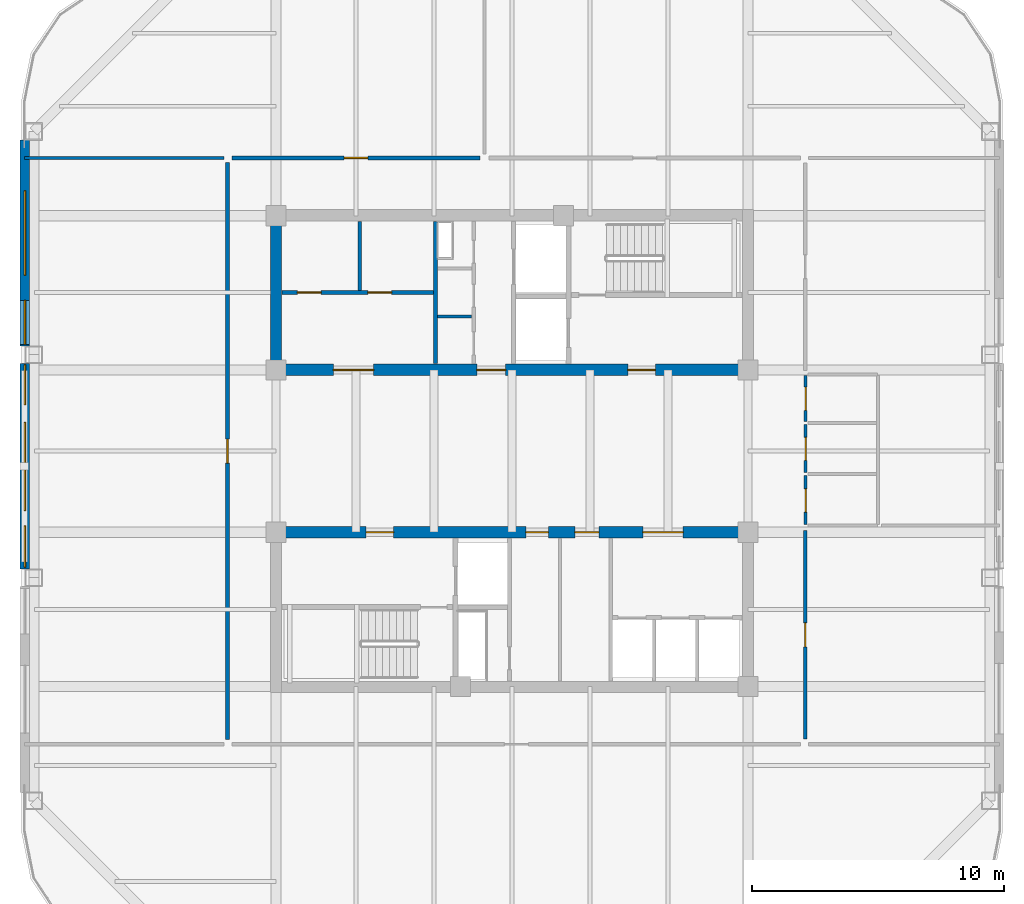
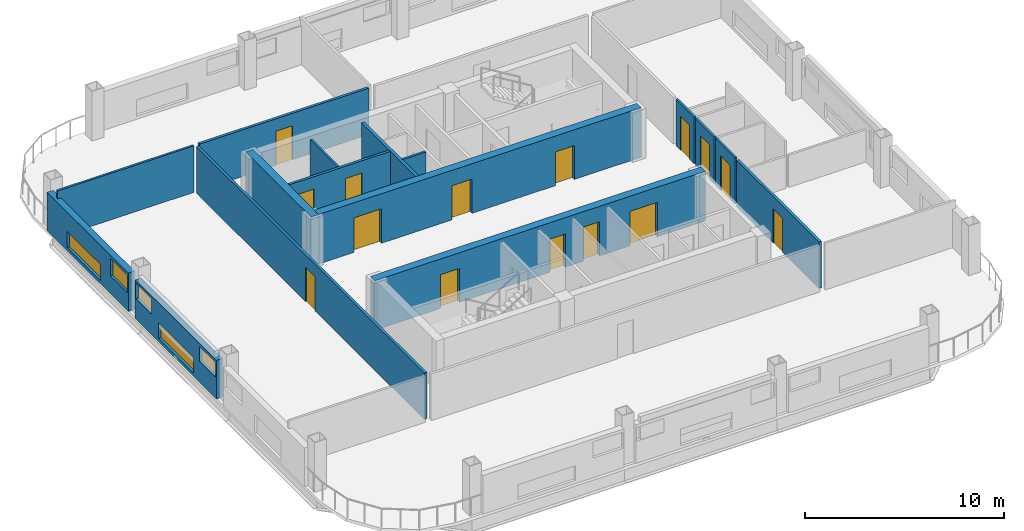
# One storey, part 3 of 8: 16 walls, 15 doors, 5 windows, 20 openings.
"""IFC4 building model written with IfcOpenShell, lengths in metres."""

from ifc_helpers import new_model, si_unit, direction, frame, frame_2d, origin, place, context, subcontext, project, spatial, rectangle, extrude, material, layer, layer_set, type_object, element, fill, save


model = new_model("IFC4")

# Units and contexts
model_context = context("Model", 3, precision=1e-05, world=origin(), true_north=direction((0.0, 1.0)))
body_context = subcontext(model_context, "Body", "Model", "MODEL_VIEW")
ifc_project = project(units=[si_unit("LENGTHUNIT", "METRE"), si_unit("AREAUNIT", "SQUARE_METRE"), si_unit("VOLUMEUNIT", "CUBIC_METRE"), si_unit("PLANEANGLEUNIT", "RADIAN"), si_unit("MASSUNIT", "GRAM", prefix="KILO")], contexts=[model_context])

# Site, building, storey
site_placement = place(None, origin())
site = spatial("IfcSite", under=ifc_project, at=site_placement, CompositionType="ELEMENT")
building_placement = place(site_placement, origin())
building = spatial("IfcBuilding", under=site, at=building_placement, Name="Qhalaya Broadcast Tower", CompositionType="ELEMENT")
storey_placement = place(building_placement, frame((0.0, 0.0, 202.550048828125)))
storey = spatial("IfcBuildingStorey", under=building, at=storey_placement, Name="L59", CompositionType="ELEMENT", Elevation=202.550048828125)

# Wall, openings, doors
ifc_material_1 = material(Name="Gypsum Acoustic Partition")
ifc_layer_1 = layer(ifc_material_1, 0.14990234375, Name="Gypsum Acoustic Partition")
ifc_layer_set_1 = layer_set([ifc_layer_1], Name="Gypsum Acoustic Partition")
wall_type_1 = type_object("IfcWallType", Name="Corridor & Tenancy Acoustic Partition 150", PredefinedType="PARTITIONING", material=ifc_layer_set_1)
wall_1_placement = place(storey_placement, frame((-9.1298828125, 6.89990234375, 0.0), z_axis=(0.0, 0.0, 1.0), x_axis=(1.0, 0.0, 0.0)))
wall_1 = element("IfcWall", 1, at=wall_1_placement, inside=storey, type_object=wall_type_1, Name="L59 Partition Wall NCW-REC1", PredefinedType="PARTITIONING", context=body_context, shape_type="SweptSolid", body=[
    extrude(rectangle(XDim=6.009765625, YDim=0.14990234375, at=frame_2d((3.0048828125, 0.0))), origin(), (0.0, 0.0, 1.0), 2.85986328125),
])
opening_1_placement = place(wall_1_placement, frame((0.60009765625, 0.0, 0.0)))
opening_1 = element("IfcOpeningElement", 2, at=opening_1_placement, cuts=wall_1, Name="Opening D10", PredefinedType="OPENING", context=body_context, shape_type="SweptSolid", body=[
    extrude(rectangle(XDim=0.949951171875, YDim=2.10009765625, at=frame_2d((0.47509765625, 1.050048828125))), frame((0.0, 0.0869140625, 0.0), z_axis=(0.0, -1.0, 0.0), x_axis=(1.0, 0.0, 0.0)), (0.0, 0.0, 1.0), 0.173828125),
])
opening_2_placement = place(wall_1_placement, frame((3.39990234375, 0.0, 0.0)))
opening_2 = element("IfcOpeningElement", 3, at=opening_2_placement, cuts=wall_1, Name="Opening D10", PredefinedType="OPENING", context=body_context, shape_type="SweptSolid", body=[
    extrude(rectangle(XDim=0.949951171875, YDim=2.10009765625, at=frame_2d((0.47509765625, 1.050048828125))), frame((0.0, 0.0869140625, 0.0), z_axis=(0.0, -1.0, 0.0), x_axis=(1.0, 0.0, 0.0)), (0.0, 0.0, 1.0), 0.173828125),
])
ifc_material_2 = material(Name="Timber Veneer Acoustic Door", Category="wood")
door_type_1 = type_object("IfcDoorType", Name="Cellular Office & Edit Booth Door D10", OperationType="NOTDEFINED", PredefinedType="DOOR", material=ifc_material_2)
door_1_placement = place(opening_1_placement, origin())
door_1 = element("IfcDoor", 4, at=door_1_placement, inside=storey, type_object=door_type_1, Name="L59 Door D-NREC1", OperationType="SINGLE_SWING_LEFT", OverallHeight=2.10009765625, OverallWidth=0.949951171875, PredefinedType="DOOR", context=body_context, shape_type="SweptSolid", body=[
    extrude(rectangle(XDim=0.949951171875, YDim=2.10009765625, at=frame_2d((0.47509765625, 1.050048828125))), frame((0.0, 0.02490234375, 0.0), z_axis=(0.0, -1.0, 0.0), x_axis=(1.0, 0.0, 0.0)), (0.0, 0.0, 1.0), 0.050048828125),
])
fill(opening_1, door_1)
door_2_placement = place(opening_2_placement, origin())
door_2 = element("IfcDoor", 5, at=door_2_placement, inside=storey, type_object=door_type_1, Name="L59 Door D-NREC2", OperationType="SINGLE_SWING_RIGHT", OverallHeight=2.10009765625, OverallWidth=0.949951171875, PredefinedType="DOOR", context=body_context, shape_type="SweptSolid", body=[
    extrude(rectangle(XDim=0.949951171875, YDim=2.10009765625, at=frame_2d((0.47509765625, 1.050048828125))), frame((0.0, 0.02490234375, 0.0), z_axis=(0.0, -1.0, 0.0), x_axis=(1.0, 0.0, 0.0)), (0.0, 0.0, 1.0), 0.050048828125),
])
fill(opening_2, door_2)

# Wall, opening, door
wall_2_placement = place(storey_placement, frame((-11.1201171875, 12.25, 0.0), z_axis=(0.0, 0.0, 1.0), x_axis=(1.0, 0.0, 0.0)))
wall_2 = element("IfcWall", 6, at=wall_2_placement, inside=storey, type_object=wall_type_1, Name="L59 Partition Wall W-COR-01", PredefinedType="PARTITIONING", context=body_context, shape_type="SweptSolid", body=[
    extrude(rectangle(XDim=9.840087890625, YDim=0.14990234375, at=frame_2d((4.919921875, 0.0))), origin(), (0.0, 0.0, 1.0), 2.85986328125),
])
opening_3_placement = place(wall_2_placement, frame((4.445068359375, 0.0, 0.0)))
opening_3 = element("IfcOpeningElement", 7, at=opening_3_placement, cuts=wall_2, Name="Opening D10", PredefinedType="OPENING", context=body_context, shape_type="SweptSolid", body=[
    extrude(rectangle(XDim=0.949951171875, YDim=2.10009765625, at=frame_2d((0.47509765625, 1.050048828125))), frame((0.0, 0.0869140625, 0.0), z_axis=(0.0, -1.0, 0.0), x_axis=(1.0, 0.0, 0.0)), (0.0, 0.0, 1.0), 0.173828125),
])
door_3_placement = place(opening_3_placement, origin())
door_3 = element("IfcDoor", 8, at=door_3_placement, inside=storey, type_object=door_type_1, Name="L59 Door D-RM01", OperationType="SINGLE_SWING_LEFT", OverallHeight=2.10009765625, OverallWidth=0.949951171875, PredefinedType="DOOR", context=body_context, shape_type="SweptSolid", body=[
    extrude(rectangle(XDim=0.949951171875, YDim=2.10009765625, at=frame_2d((0.47509765625, 1.050048828125))), frame((0.0, 0.02490234375, 0.0), z_axis=(0.0, -1.0, 0.0), x_axis=(1.0, 0.0, 0.0)), (0.0, 0.0, 1.0), 0.050048828125),
])
fill(opening_3, door_3)

wall_3_placement = place(storey_placement, frame((-11.300048828125, -10.8701171875, 0.0), z_axis=(0.0, 0.0, 1.0), x_axis=(0.0, 1.0, 0.0)))
wall_3 = element("IfcWall", 9, at=wall_3_placement, inside=storey, type_object=wall_type_1, Name="L59 Partition Wall W-COR-04", PredefinedType="PARTITIONING", context=body_context, shape_type="SweptSolid", body=[
    extrude(rectangle(XDim=22.940185546875, YDim=0.14990234375, at=frame_2d((11.47021484375, 0.0))), origin(), (0.0, 0.0, 1.0), 2.85986328125),
])
opening_4_placement = place(wall_3_placement, frame((10.9951171875, 0.0, 0.0)))
opening_4 = element("IfcOpeningElement", 10, at=opening_4_placement, cuts=wall_3, Name="Opening D10", PredefinedType="OPENING", context=body_context, shape_type="SweptSolid", body=[
    extrude(rectangle(XDim=0.949951171875, YDim=2.10009765625, at=frame_2d((0.47509765625, 1.050048828125))), frame((0.0, 0.0869140625, 0.0), z_axis=(0.0, -1.0, 0.0), x_axis=(1.0, 0.0, 0.0)), (0.0, 0.0, 1.0), 0.173828125),
])
door_4_placement = place(opening_4_placement, origin())
door_4 = element("IfcDoor", 11, at=door_4_placement, inside=storey, type_object=door_type_1, Name="L59 Door D-RM04", OperationType="SINGLE_SWING_RIGHT", OverallHeight=2.10009765625, OverallWidth=0.949951171875, PredefinedType="DOOR", context=body_context, shape_type="SweptSolid", body=[
    extrude(rectangle(XDim=0.949951171875, YDim=2.10009765625, at=frame_2d((0.47509765625, 1.050048828125))), frame((0.0, 0.02490234375, 0.0), z_axis=(0.0, -1.0, 0.0), x_axis=(1.0, 0.0, 0.0)), (0.0, 0.0, 1.0), 0.050048828125),
])
fill(opening_4, door_4)

wall_4_placement = place(storey_placement, frame((11.64990234375, -10.85009765625, 0.0), z_axis=(0.0, 0.0, 1.0), x_axis=(0.0, 1.0, 0.0)))
wall_4 = element("IfcWall", 12, at=wall_4_placement, inside=storey, type_object=wall_type_1, Name="L59 Partition Wall W-COR-05", PredefinedType="PARTITIONING", context=body_context, shape_type="SweptSolid", body=[
    extrude(rectangle(XDim=8.2900390625, YDim=0.14990234375, at=frame_2d((4.14501953125, 0.0))), origin(), (0.0, 0.0, 1.0), 2.85986328125),
])
opening_5_placement = place(wall_4_placement, frame((3.669921875, 0.0, 0.0)))
opening_5 = element("IfcOpeningElement", 13, at=opening_5_placement, cuts=wall_4, Name="Opening D10", PredefinedType="OPENING", context=body_context, shape_type="SweptSolid", body=[
    extrude(rectangle(XDim=0.949951171875, YDim=2.10009765625, at=frame_2d((0.47509765625, 1.050048828125))), frame((0.0, 0.0869140625, 0.0), z_axis=(0.0, -1.0, 0.0), x_axis=(1.0, 0.0, 0.0)), (0.0, 0.0, 1.0), 0.173828125),
])
door_5_placement = place(opening_5_placement, origin())
door_5 = element("IfcDoor", 14, at=door_5_placement, inside=storey, type_object=door_type_1, Name="L59 Door D-RM05", OperationType="SINGLE_SWING_LEFT", OverallHeight=2.10009765625, OverallWidth=0.949951171875, PredefinedType="DOOR", context=body_context, shape_type="SweptSolid", body=[
    extrude(rectangle(XDim=0.949951171875, YDim=2.10009765625, at=frame_2d((0.47509765625, 1.050048828125))), frame((0.0, 0.02490234375, 0.0), z_axis=(0.0, -1.0, 0.0), x_axis=(1.0, 0.0, 0.0)), (0.0, 0.0, 1.0), 0.050048828125),
])
fill(opening_5, door_5)

# Wall, openings, windows
ifc_material_3 = material(Name="Precast Concrete C40/50", Category="concrete")
ifc_layer_2 = layer(ifc_material_3, 0.360107421875, Name="Precast Concrete C40/50")
ifc_layer_set_2 = layer_set([ifc_layer_2], Name="Precast Concrete C40/50")
wall_type_2 = type_object("IfcWallType", Name="Insulated Precast Terracotta Exterior Wall 360", PredefinedType="SOLIDWALL", material=ifc_layer_set_2)
wall_5_placement = place(storey_placement, frame((-19.360107421875, -4.083251953125, 0.0), z_axis=(0.0, 0.0, 1.0), x_axis=(0.0, 1.0, 0.0)))
wall_5 = element("IfcWall", 15, at=wall_5_placement, inside=storey, type_object=wall_type_2, Name="L59 Exoskeleton Diagrid Infill Wall W2", PredefinedType="SOLIDWALL", context=body_context, shape_type="SweptSolid", body=[
    extrude(rectangle(XDim=8.16650390625, YDim=0.360107421875, at=frame_2d((4.083251953125, 0.0))), origin(), (0.0, 0.0, 1.0), 2.3740234375),
])
opening_6_placement = place(wall_5_placement, frame((0.071044921875, 0.0, 1.300048828125)))
opening_6 = element("IfcOpeningElement", 16, at=opening_6_placement, cuts=wall_5, Name="Opening W13", PredefinedType="OPENING", context=body_context, shape_type="SweptSolid", body=[
    extrude(rectangle(XDim=1.64990234375, YDim=0.89990234375, at=frame_2d((0.824951171875, 0.449951171875))), frame((0.0, 0.192138671875, 0.0), z_axis=(0.0, -1.0, 0.0), x_axis=(1.0, 0.0, 0.0)), (0.0, 0.0, 1.0), 0.384033203125),
])
opening_7_placement = place(wall_5_placement, frame((2.321044921875, 0.0, 0.199951171875)))
opening_7 = element("IfcOpeningElement", 17, at=opening_7_placement, cuts=wall_5, Name="Opening W13", PredefinedType="OPENING", context=body_context, shape_type="SweptSolid", body=[
    extrude(rectangle(XDim=3.5, YDim=0.949951171875, at=frame_2d((1.75, 0.47509765625))), frame((0.0, 0.192138671875, 0.0), z_axis=(0.0, -1.0, 0.0), x_axis=(1.0, 0.0, 0.0)), (0.0, 0.0, 1.0), 0.384033203125),
])
opening_8_placement = place(wall_5_placement, frame((6.52099609375, 0.0, 1.25)))
opening_8 = element("IfcOpeningElement", 18, at=opening_8_placement, cuts=wall_5, Name="Opening W13", PredefinedType="OPENING", context=body_context, shape_type="SweptSolid", body=[
    extrude(rectangle(XDim=1.60009765625, YDim=0.949951171875, at=frame_2d((0.800048828125, 0.47509765625))), frame((0.0, 0.192138671875, 0.0), z_axis=(0.0, -1.0, 0.0), x_axis=(1.0, 0.0, 0.0)), (0.0, 0.0, 1.0), 0.384033203125),
])
ifc_material_4 = material(Name="Solar-Control Low-E Triple Glazing", Category="glass")
window_type = type_object("IfcWindowType", Name="Upper-Block Diagrid Infill Window W13", PartitioningType="SINGLE_PANEL", PredefinedType="WINDOW", material=ifc_material_4)
window_1_placement = place(opening_6_placement, origin())
window_1 = element("IfcWindow", 19, at=window_1_placement, inside=storey, type_object=window_type, Name="L59 Diagrid Infill Window W13-W3", OverallHeight=0.89990234375, OverallWidth=1.64990234375, PartitioningType="SINGLE_PANEL", PredefinedType="WINDOW", context=body_context, shape_type="SweptSolid", body=[
    extrude(rectangle(XDim=1.64990234375, YDim=0.89990234375, at=frame_2d((0.824951171875, 0.449951171875))), frame((0.0, 0.030029296875, 0.0), z_axis=(0.0, -1.0, 0.0), x_axis=(1.0, 0.0, 0.0)), (0.0, 0.0, 1.0), 0.06005859375),
])
fill(opening_6, window_1)
window_2_placement = place(opening_7_placement, origin())
window_2 = element("IfcWindow", 20, at=window_2_placement, inside=storey, type_object=window_type, Name="L59 Diagrid Infill Window W13-W4", OverallHeight=0.949951171875, OverallWidth=3.5, PartitioningType="SINGLE_PANEL", PredefinedType="WINDOW", context=body_context, shape_type="SweptSolid", body=[
    extrude(rectangle(XDim=3.5, YDim=0.949951171875, at=frame_2d((1.75, 0.47509765625))), frame((0.0, 0.030029296875, 0.0), z_axis=(0.0, -1.0, 0.0), x_axis=(1.0, 0.0, 0.0)), (0.0, 0.0, 1.0), 0.06005859375),
])
fill(opening_7, window_2)
window_3_placement = place(opening_8_placement, origin())
window_3 = element("IfcWindow", 21, at=window_3_placement, inside=storey, type_object=window_type, Name="L59 Diagrid Infill Window W13-W5", OverallHeight=0.949951171875, OverallWidth=1.60009765625, PartitioningType="SINGLE_PANEL", PredefinedType="WINDOW", context=body_context, shape_type="SweptSolid", body=[
    extrude(rectangle(XDim=1.60009765625, YDim=0.949951171875, at=frame_2d((0.800048828125, 0.47509765625))), frame((0.0, 0.030029296875, 0.0), z_axis=(0.0, -1.0, 0.0), x_axis=(1.0, 0.0, 0.0)), (0.0, 0.0, 1.0), 0.06005859375),
])
fill(opening_8, window_3)

wall_6_placement = place(storey_placement, frame((-19.360107421875, 4.783203125, 0.0), z_axis=(0.0, 0.0, 1.0), x_axis=(0.0, 1.0, 0.0)))
wall_6 = element("IfcWall", 22, at=wall_6_placement, inside=storey, type_object=wall_type_2, Name="L59 Exoskeleton Diagrid Infill Wall W3", PredefinedType="SOLIDWALL", context=body_context, shape_type="SweptSolid", body=[
    extrude(rectangle(XDim=8.1787109375, YDim=0.360107421875, at=frame_2d((4.08935546875, 0.0))), origin(), (0.0, 0.0, 1.0), 2.3740234375),
])
opening_9_placement = place(wall_6_placement, frame((0.054931640625, 0.0, 1.10009765625)))
opening_9 = element("IfcOpeningElement", 23, at=opening_9_placement, cuts=wall_6, Name="Opening W13", PredefinedType="OPENING", context=body_context, shape_type="SweptSolid", body=[
    extrude(rectangle(XDim=1.75, YDim=1.10009765625, at=frame_2d((0.875, 0.550048828125))), frame((0.0, 0.192138671875, 0.0), z_axis=(0.0, -1.0, 0.0), x_axis=(1.0, 0.0, 0.0)), (0.0, 0.0, 1.0), 0.384033203125),
])
opening_10_placement = place(wall_6_placement, frame((2.804931640625, 0.0, 0.199951171875)))
opening_10 = element("IfcOpeningElement", 24, at=opening_10_placement, cuts=wall_6, Name="Opening W13", PredefinedType="OPENING", context=body_context, shape_type="SweptSolid", body=[
    extrude(rectangle(XDim=3.35009765625, YDim=1.0, at=frame_2d((1.675048828125, 0.5))), frame((0.0, 0.192138671875, 0.0), z_axis=(0.0, -1.0, 0.0), x_axis=(1.0, 0.0, 0.0)), (0.0, 0.0, 1.0), 0.384033203125),
])
window_4_placement = place(opening_9_placement, origin())
window_4 = element("IfcWindow", 25, at=window_4_placement, inside=storey, type_object=window_type, Name="L59 Diagrid Infill Window W13-W6", OverallHeight=1.10009765625, OverallWidth=1.75, PartitioningType="SINGLE_PANEL", PredefinedType="WINDOW", context=body_context, shape_type="SweptSolid", body=[
    extrude(rectangle(XDim=1.75, YDim=1.10009765625, at=frame_2d((0.875, 0.550048828125))), frame((0.0, 0.030029296875, 0.0), z_axis=(0.0, -1.0, 0.0), x_axis=(1.0, 0.0, 0.0)), (0.0, 0.0, 1.0), 0.06005859375),
])
fill(opening_9, window_4)
window_5_placement = place(opening_10_placement, origin())
window_5 = element("IfcWindow", 26, at=window_5_placement, inside=storey, type_object=window_type, Name="L59 Diagrid Infill Window W13-W7", OverallHeight=1.0, OverallWidth=3.35009765625, PartitioningType="SINGLE_PANEL", PredefinedType="WINDOW", context=body_context, shape_type="SweptSolid", body=[
    extrude(rectangle(XDim=3.35009765625, YDim=1.0, at=frame_2d((1.675048828125, 0.5))), frame((0.0, 0.030029296875, 0.0), z_axis=(0.0, -1.0, 0.0), x_axis=(1.0, 0.0, 0.0)), (0.0, 0.0, 1.0), 0.06005859375),
])
fill(opening_10, window_5)

# Walls
ifc_layer_3 = layer(ifc_material_1, 0.1201171875, Name="Gypsum Acoustic Partition")
ifc_layer_set_3 = layer_set([ifc_layer_3], Name="Gypsum Acoustic Partition")
wall_type_3 = type_object("IfcWallType", Name="Office, Booth & Sanitary Partition 120", PredefinedType="PARTITIONING", material=ifc_layer_set_3)
wall_7_placement = place(storey_placement, frame((-2.9599609375, 5.949951171875, 0.0), z_axis=(0.0, 0.0, 1.0), x_axis=(1.0, 0.0, 0.0)))
element("IfcWall", 27, at=wall_7_placement, inside=storey, type_object=wall_type_3, Name="L59 Partition Wall NCW-VB1", PredefinedType="PARTITIONING", context=body_context, shape_type="SweptSolid", body=[
    extrude(rectangle(XDim=1.35986328125, YDim=0.1201171875, at=frame_2d((0.679931640625, 0.0))), origin(), (0.0, 0.0, 1.0), 2.85986328125),
])
wall_8_placement = place(storey_placement, frame((-6.050048828125, 6.97998046875, 0.0), z_axis=(0.0, 0.0, 1.0), x_axis=(0.0, 1.0, 0.0)))
element("IfcWall", 28, at=wall_8_placement, inside=storey, type_object=wall_type_3, Name="L59 Partition Wall NCW-REC2", PredefinedType="PARTITIONING", context=body_context, shape_type="SweptSolid", body=[
    extrude(rectangle(XDim=2.75, YDim=0.1201171875, at=frame_2d((1.375, 0.0))), origin(), (0.0, 0.0, 1.0), 2.85986328125),
])

# Wall, opening, door
wall_9_placement = place(storey_placement, frame((11.669921875, -2.320068359375, 0.0), z_axis=(0.0, 0.0, 1.0), x_axis=(0.0, 1.0, 0.0)))
wall_9 = element("IfcWall", 29, at=wall_9_placement, inside=storey, type_object=wall_type_3, Name="L59 Partition Wall W-WCWA", PredefinedType="PARTITIONING", context=body_context, shape_type="SweptSolid", body=[
    extrude(rectangle(XDim=1.940185546875, YDim=0.1201171875, at=frame_2d((0.97021484375, 0.0))), origin(), (0.0, 0.0, 1.0), 2.85986328125),
])
opening_11_placement = place(wall_9_placement, frame((0.4951171875, 0.0, 0.0)))
opening_11 = element("IfcOpeningElement", 30, at=opening_11_placement, cuts=wall_9, Name="Opening D12", PredefinedType="OPENING", context=body_context, shape_type="SweptSolid", body=[
    extrude(rectangle(XDim=0.919921875, YDim=2.10009765625, at=frame_2d((0.4599609375, 1.050048828125))), frame((0.0, 0.072021484375, 0.0), z_axis=(0.0, -1.0, 0.0), x_axis=(1.0, 0.0, 0.0)), (0.0, 0.0, 1.0), 0.14404296875),
])
door_type_2 = type_object("IfcDoorType", Name="Accessible WC & Restroom Door D12", OperationType="NOTDEFINED", PredefinedType="DOOR", material=ifc_material_2)
door_6_placement = place(opening_11_placement, origin())
door_6 = element("IfcDoor", 31, at=door_6_placement, inside=storey, type_object=door_type_2, Name="L59 Door D-WCA", OperationType="SINGLE_SWING_LEFT", OverallHeight=2.10009765625, OverallWidth=0.919921875, PredefinedType="DOOR", context=body_context, shape_type="SweptSolid", body=[
    extrude(rectangle(XDim=0.919921875, YDim=2.10009765625, at=frame_2d((0.4599609375, 1.050048828125))), frame((0.0, 0.02490234375, 0.0), z_axis=(0.0, -1.0, 0.0), x_axis=(1.0, 0.0, 0.0)), (0.0, 0.0, 1.0), 0.050048828125),
])
fill(opening_11, door_6)

wall_10_placement = place(storey_placement, frame((11.669921875, -0.25, 0.0), z_axis=(0.0, 0.0, 1.0), x_axis=(0.0, 1.0, 0.0)))
wall_10 = element("IfcWall", 32, at=wall_10_placement, inside=storey, type_object=wall_type_3, Name="L59 Partition Wall W-WCWM", PredefinedType="PARTITIONING", context=body_context, shape_type="SweptSolid", body=[
    extrude(rectangle(XDim=1.89990234375, YDim=0.1201171875, at=frame_2d((0.949951171875, 0.0))), origin(), (0.0, 0.0, 1.0), 2.85986328125),
])
opening_12_placement = place(wall_10_placement, frame((0.47509765625, 0.0, 0.0)))
opening_12 = element("IfcOpeningElement", 33, at=opening_12_placement, cuts=wall_10, Name="Opening D12", PredefinedType="OPENING", context=body_context, shape_type="SweptSolid", body=[
    extrude(rectangle(XDim=0.919921875, YDim=2.10009765625, at=frame_2d((0.4599609375, 1.050048828125))), frame((0.0, 0.072021484375, 0.0), z_axis=(0.0, -1.0, 0.0), x_axis=(1.0, 0.0, 0.0)), (0.0, 0.0, 1.0), 0.14404296875),
])
door_7_placement = place(opening_12_placement, origin())
door_7 = element("IfcDoor", 34, at=door_7_placement, inside=storey, type_object=door_type_2, Name="L59 Door D-WCM", OperationType="SINGLE_SWING_RIGHT", OverallHeight=2.10009765625, OverallWidth=0.919921875, PredefinedType="DOOR", context=body_context, shape_type="SweptSolid", body=[
    extrude(rectangle(XDim=0.919921875, YDim=2.10009765625, at=frame_2d((0.4599609375, 1.050048828125))), frame((0.0, 0.02490234375, 0.0), z_axis=(0.0, -1.0, 0.0), x_axis=(1.0, 0.0, 0.0)), (0.0, 0.0, 1.0), 0.050048828125),
])
fill(opening_12, door_7)

wall_11_placement = place(storey_placement, frame((11.669921875, 1.780029296875, 0.0), z_axis=(0.0, 0.0, 1.0), x_axis=(0.0, 1.0, 0.0)))
wall_11 = element("IfcWall", 35, at=wall_11_placement, inside=storey, type_object=wall_type_3, Name="L59 Partition Wall W-WCWF", PredefinedType="PARTITIONING", context=body_context, shape_type="SweptSolid", body=[
    extrude(rectangle(XDim=1.830078125, YDim=0.1201171875, at=frame_2d((0.9150390625, 0.0))), origin(), (0.0, 0.0, 1.0), 2.85986328125),
])
opening_13_placement = place(wall_11_placement, frame((0.43994140625, 0.0, 0.0)))
opening_13 = element("IfcOpeningElement", 36, at=opening_13_placement, cuts=wall_11, Name="Opening D12", PredefinedType="OPENING", context=body_context, shape_type="SweptSolid", body=[
    extrude(rectangle(XDim=0.919921875, YDim=2.10009765625, at=frame_2d((0.4599609375, 1.050048828125))), frame((0.0, 0.072021484375, 0.0), z_axis=(0.0, -1.0, 0.0), x_axis=(1.0, 0.0, 0.0)), (0.0, 0.0, 1.0), 0.14404296875),
])
door_8_placement = place(opening_13_placement, origin())
door_8 = element("IfcDoor", 37, at=door_8_placement, inside=storey, type_object=door_type_2, Name="L59 Door D-WCF", OperationType="SINGLE_SWING_LEFT", OverallHeight=2.10009765625, OverallWidth=0.919921875, PredefinedType="DOOR", context=body_context, shape_type="SweptSolid", body=[
    extrude(rectangle(XDim=0.919921875, YDim=2.10009765625, at=frame_2d((0.4599609375, 1.050048828125))), frame((0.0, 0.02490234375, 0.0), z_axis=(0.0, -1.0, 0.0), x_axis=(1.0, 0.0, 0.0)), (0.0, 0.0, 1.0), 0.050048828125),
])
fill(opening_13, door_8)

# Walls
wall_12_placement = place(storey_placement, frame((-19.3798828125, 12.25, 0.0), z_axis=(0.0, 0.0, 1.0), x_axis=(1.0, 0.0, 0.0)))
element("IfcWall", 38, at=wall_12_placement, inside=storey, type_object=wall_type_3, Name="L59 Partition Wall W-BNDW1", PredefinedType="PARTITIONING", context=body_context, shape_type="SweptSolid", body=[
    extrude(rectangle(XDim=7.93994140625, YDim=0.1201171875, at=frame_2d((3.969970703125, 0.0))), origin(), (0.0, 0.0, 1.0), 2.85986328125),
])
ifc_layer_4 = layer(ifc_material_1, 0.175048828125, Name="Gypsum Acoustic Partition")
ifc_layer_set_4 = layer_set([ifc_layer_4], Name="Gypsum Acoustic Partition")
wall_type_4 = type_object("IfcWallType", Name="Shaft & Riser Fire Partition 175", PredefinedType="PARTITIONING", material=ifc_layer_set_4)
wall_13_placement = place(storey_placement, frame((-3.0400390625, 4.070068359375, 0.0), z_axis=(0.0, 0.0, 1.0), x_axis=(0.0, 1.0, 0.0)))
element("IfcWall", 39, at=wall_13_placement, inside=storey, type_object=wall_type_4, Name="L59 Partition Wall NCW-VRW", PredefinedType="PARTITIONING", context=body_context, shape_type="SweptSolid", body=[
    extrude(rectangle(XDim=5.659912109375, YDim=0.175048828125, at=frame_2d((2.830078125, 0.0))), origin(), (0.0, 0.0, 1.0), 2.85986328125),
])

# Wall, openings, doors
ifc_material_5 = material(Name="Concrete C50/60", Category="concrete")
ifc_layer_5 = layer(ifc_material_5, 0.449951171875, Name="Concrete C50/60")
ifc_layer_set_5 = layer_set([ifc_layer_5], Name="Concrete C50/60")
wall_type_5 = type_object("IfcWallType", Name="Upper Split-Core Shear Wall 450", PredefinedType="SHEAR", material=ifc_layer_set_5)
wall_14_placement = place(storey_placement, frame((-9.60009765625, 3.824951171875, 0.0), z_axis=(0.0, 0.0, 1.0), x_axis=(1.0, 0.0, 0.0)))
wall_14 = element("IfcWall", 40, at=wall_14_placement, inside=storey, type_object=wall_type_5, Name="L59 Split-Core Shear Wall CW-NS", PredefinedType="SHEAR", context=body_context, shape_type="SweptSolid", body=[
    extrude(rectangle(XDim=19.2001953125, YDim=0.449951171875, at=frame_2d((9.60009765625, 0.0))), origin(), (0.0, 0.0, 1.0), 3.050048828125),
])
opening_14_placement = place(wall_14_placement, frame((14.199951171875, 0.0, 0.0)))
opening_14 = element("IfcOpeningElement", 41, at=opening_14_placement, cuts=wall_14, Name="Opening D04", PredefinedType="OPENING", context=body_context, shape_type="SweptSolid", body=[
    extrude(rectangle(XDim=1.10009765625, YDim=2.080078125, at=frame_2d((0.550048828125, 1.0400390625))), frame((0.0, 0.237060546875, 0.0), z_axis=(0.0, -1.0, 0.0), x_axis=(1.0, 0.0, 0.0)), (0.0, 0.0, 1.0), 0.473876953125),
])
opening_15_placement = place(wall_14_placement, frame((8.199951171875, 0.0, 0.0)))
opening_15 = element("IfcOpeningElement", 42, at=opening_15_placement, cuts=wall_14, Name="Opening D05", PredefinedType="OPENING", context=body_context, shape_type="SweptSolid", body=[
    extrude(rectangle(XDim=1.14990234375, YDim=2.10009765625, at=frame_2d((0.574951171875, 1.050048828125))), frame((0.0, 0.237060546875, 0.0), z_axis=(0.0, -1.0, 0.0), x_axis=(1.0, 0.0, 0.0)), (0.0, 0.0, 1.0), 0.473876953125),
])
opening_16_placement = place(wall_14_placement, frame((2.5, 0.0, 0.0)))
opening_16 = element("IfcOpeningElement", 43, at=opening_16_placement, cuts=wall_14, Name="Opening D07", PredefinedType="OPENING", context=body_context, shape_type="SweptSolid", body=[
    extrude(rectangle(XDim=1.60009765625, YDim=2.1201171875, at=frame_2d((0.800048828125, 1.06005859375))), frame((0.0, 0.237060546875, 0.0), z_axis=(0.0, -1.0, 0.0), x_axis=(1.0, 0.0, 0.0)), (0.0, 0.0, 1.0), 0.473876953125),
])
ifc_material_6 = material(Name="Fire-Rated Steel Door", Category="steel")
door_type_3 = type_object("IfcDoorType", Name="Firefighting Lobby Rated Door D04", OperationType="NOTDEFINED", PredefinedType="DOOR", material=ifc_material_6)
door_9_placement = place(opening_14_placement, origin())
door_9 = element("IfcDoor", 44, at=door_9_placement, inside=storey, type_object=door_type_3, Name="L59 Door D-NFF", OperationType="SINGLE_SWING_RIGHT", OverallHeight=2.080078125, OverallWidth=1.10009765625, PredefinedType="DOOR", context=body_context, shape_type="SweptSolid", body=[
    extrude(rectangle(XDim=1.10009765625, YDim=2.080078125, at=frame_2d((0.550048828125, 1.0400390625))), frame((0.0, 0.02490234375, 0.0), z_axis=(0.0, -1.0, 0.0), x_axis=(1.0, 0.0, 0.0)), (0.0, 0.0, 1.0), 0.050048828125),
])
fill(opening_14, door_9)
ifc_material_7 = material(Name="Anodised Aluminium Glazed Door", Category="aluminium")
door_type_4 = type_object("IfcDoorType", Name="Passenger Lift Lobby Double Glazed Door D07", OperationType="DOUBLE_DOOR_SINGLE_SWING", PredefinedType="DOOR", material=ifc_material_7)
door_10_placement = place(opening_16_placement, origin())
door_10 = element("IfcDoor", 45, at=door_10_placement, inside=storey, type_object=door_type_4, Name="L59 Door D-NRECV", OperationType="DOUBLE_DOOR_SINGLE_SWING", OverallHeight=2.1201171875, OverallWidth=1.60009765625, PredefinedType="DOOR", context=body_context, shape_type="SweptSolid", body=[
    extrude(rectangle(XDim=1.60009765625, YDim=2.1201171875, at=frame_2d((0.800048828125, 1.06005859375))), frame((0.0, 0.02490234375, 0.0), z_axis=(0.0, -1.0, 0.0), x_axis=(1.0, 0.0, 0.0)), (0.0, 0.0, 1.0), 0.050048828125),
])
fill(opening_16, door_10)
door_type_5 = type_object("IfcDoorType", Name="Refuge & Plant Room Fire Door D05", OperationType="NOTDEFINED", PredefinedType="DOOR", material=ifc_material_6)
door_11_placement = place(opening_15_placement, origin())
door_11 = element("IfcDoor", 46, at=door_11_placement, inside=storey, type_object=door_type_5, Name="L59 Door D-NSVL", OperationType="SINGLE_SWING_LEFT", OverallHeight=2.10009765625, OverallWidth=1.14990234375, PredefinedType="DOOR", context=body_context, shape_type="SweptSolid", body=[
    extrude(rectangle(XDim=1.14990234375, YDim=2.10009765625, at=frame_2d((0.574951171875, 1.050048828125))), frame((0.0, 0.02490234375, 0.0), z_axis=(0.0, -1.0, 0.0), x_axis=(1.0, 0.0, 0.0)), (0.0, 0.0, 1.0), 0.050048828125),
])
fill(opening_15, door_11)

# Wall
wall_15_placement = place(storey_placement, frame((-9.375, 3.60009765625, 0.0), z_axis=(0.0, 0.0, 1.0), x_axis=(0.0, 1.0, 0.0)))
element("IfcWall", 47, at=wall_15_placement, inside=storey, type_object=wall_type_5, Name="L59 Split-Core Shear Wall CW-NW", PredefinedType="SHEAR", context=body_context, shape_type="SweptSolid", body=[
    extrude(rectangle(XDim=6.599853515625, YDim=0.449951171875, at=frame_2d((3.2998046875, 0.0))), origin(), (0.0, 0.0, 1.0), 3.050048828125),
])

# Wall, openings, doors
wall_16_placement = place(storey_placement, frame((-9.60009765625, -2.625, 0.0), z_axis=(0.0, 0.0, 1.0), x_axis=(1.0, 0.0, 0.0)))
wall_16 = element("IfcWall", 48, at=wall_16_placement, inside=storey, type_object=wall_type_5, Name="L59 Split-Core Shear Wall CW-SN", PredefinedType="SHEAR", context=body_context, shape_type="SweptSolid", body=[
    extrude(rectangle(XDim=19.2001953125, YDim=0.449951171875, at=frame_2d((9.60009765625, 0.0))), origin(), (0.0, 0.0, 1.0), 3.050048828125),
])
opening_17_placement = place(wall_16_placement, frame((3.800048828125, 0.0, 0.0)))
opening_17 = element("IfcOpeningElement", 49, at=opening_17_placement, cuts=wall_16, Name="Opening D04", PredefinedType="OPENING", context=body_context, shape_type="SweptSolid", body=[
    extrude(rectangle(XDim=1.10009765625, YDim=2.080078125, at=frame_2d((0.550048828125, 1.0400390625))), frame((0.0, 0.237060546875, 0.0), z_axis=(0.0, -1.0, 0.0), x_axis=(1.0, 0.0, 0.0)), (0.0, 0.0, 1.0), 0.473876953125),
])
opening_18_placement = place(wall_16_placement, frame((10.14990234375, 0.0, 0.0)))
opening_18 = element("IfcOpeningElement", 50, at=opening_18_placement, cuts=wall_16, Name="Opening D06", PredefinedType="OPENING", context=body_context, shape_type="SweptSolid", body=[
    extrude(rectangle(XDim=0.89990234375, YDim=2.050048828125, at=frame_2d((0.449951171875, 1.02490234375))), frame((0.0, 0.237060546875, 0.0), z_axis=(0.0, -1.0, 0.0), x_axis=(1.0, 0.0, 0.0)), (0.0, 0.0, 1.0), 0.473876953125),
])
opening_19_placement = place(wall_16_placement, frame((12.10009765625, 0.0, 0.0)))
opening_19 = element("IfcOpeningElement", 51, at=opening_19_placement, cuts=wall_16, Name="Opening D10", PredefinedType="OPENING", context=body_context, shape_type="SweptSolid", body=[
    extrude(rectangle(XDim=0.949951171875, YDim=2.10009765625, at=frame_2d((0.47509765625, 1.050048828125))), frame((0.0, 0.237060546875, 0.0), z_axis=(0.0, -1.0, 0.0), x_axis=(1.0, 0.0, 0.0)), (0.0, 0.0, 1.0), 0.473876953125),
])
opening_20_placement = place(wall_16_placement, frame((14.800048828125, 0.0, 0.0)))
opening_20 = element("IfcOpeningElement", 52, at=opening_20_placement, cuts=wall_16, Name="Opening D07", PredefinedType="OPENING", context=body_context, shape_type="SweptSolid", body=[
    extrude(rectangle(XDim=1.60009765625, YDim=2.1201171875, at=frame_2d((0.800048828125, 1.06005859375))), frame((0.0, 0.237060546875, 0.0), z_axis=(0.0, -1.0, 0.0), x_axis=(1.0, 0.0, 0.0)), (0.0, 0.0, 1.0), 0.473876953125),
])
door_12_placement = place(opening_19_placement, origin())
door_12 = element("IfcDoor", 53, at=door_12_placement, inside=storey, type_object=door_type_1, Name="L59 Door D-SREC2", OperationType="SINGLE_SWING_RIGHT", OverallHeight=2.10009765625, OverallWidth=0.949951171875, PredefinedType="DOOR", context=body_context, shape_type="SweptSolid", body=[
    extrude(rectangle(XDim=0.949951171875, YDim=2.10009765625, at=frame_2d((0.47509765625, 1.050048828125))), frame((0.0, 0.02490234375, 0.0), z_axis=(0.0, -1.0, 0.0), x_axis=(1.0, 0.0, 0.0)), (0.0, 0.0, 1.0), 0.050048828125),
])
fill(opening_19, door_12)
door_13_placement = place(opening_17_placement, origin())
door_13 = element("IfcDoor", 54, at=door_13_placement, inside=storey, type_object=door_type_3, Name="L59 Door D-SFF", OperationType="SINGLE_SWING_LEFT", OverallHeight=2.080078125, OverallWidth=1.10009765625, PredefinedType="DOOR", context=body_context, shape_type="SweptSolid", body=[
    extrude(rectangle(XDim=1.10009765625, YDim=2.080078125, at=frame_2d((0.550048828125, 1.0400390625))), frame((0.0, 0.02490234375, 0.0), z_axis=(0.0, -1.0, 0.0), x_axis=(1.0, 0.0, 0.0)), (0.0, 0.0, 1.0), 0.050048828125),
])
fill(opening_17, door_13)
door_14_placement = place(opening_20_placement, origin())
door_14 = element("IfcDoor", 55, at=door_14_placement, inside=storey, type_object=door_type_4, Name="L59 Door D-SPLL", OperationType="DOUBLE_DOOR_SINGLE_SWING", OverallHeight=2.1201171875, OverallWidth=1.60009765625, PredefinedType="DOOR", context=body_context, shape_type="SweptSolid", body=[
    extrude(rectangle(XDim=1.60009765625, YDim=2.1201171875, at=frame_2d((0.800048828125, 1.06005859375))), frame((0.0, 0.02490234375, 0.0), z_axis=(0.0, -1.0, 0.0), x_axis=(1.0, 0.0, 0.0)), (0.0, 0.0, 1.0), 0.050048828125),
])
fill(opening_20, door_14)
door_type_6 = type_object("IfcDoorType", Name="Riser & Electrical Shaft Access Door D06", OperationType="NOTDEFINED", PredefinedType="DOOR", material=ifc_material_6)
door_15_placement = place(opening_18_placement, origin())
door_15 = element("IfcDoor", 56, at=door_15_placement, inside=storey, type_object=door_type_6, Name="L59 Door D-SREC1", OperationType="SINGLE_SWING_LEFT", OverallHeight=2.050048828125, OverallWidth=0.89990234375, PredefinedType="DOOR", context=body_context, shape_type="SweptSolid", body=[
    extrude(rectangle(XDim=0.89990234375, YDim=2.050048828125, at=frame_2d((0.449951171875, 1.02490234375))), frame((0.0, 0.02490234375, 0.0), z_axis=(0.0, -1.0, 0.0), x_axis=(1.0, 0.0, 0.0)), (0.0, 0.0, 1.0), 0.050048828125),
])
fill(opening_18, door_15)

save(model, "model.ifc")
